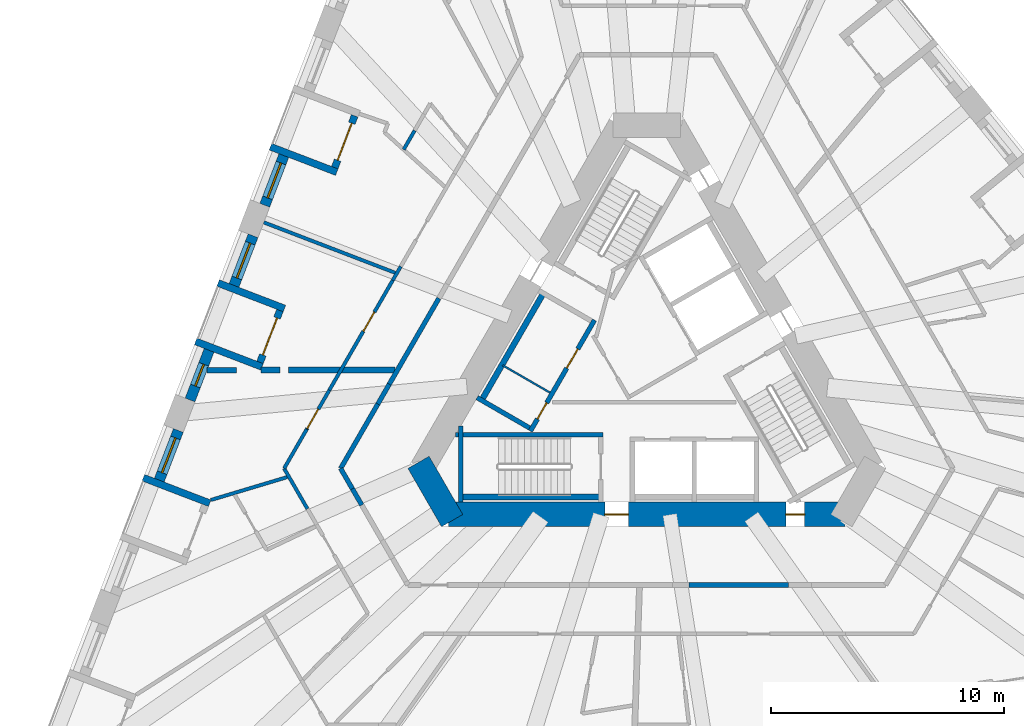
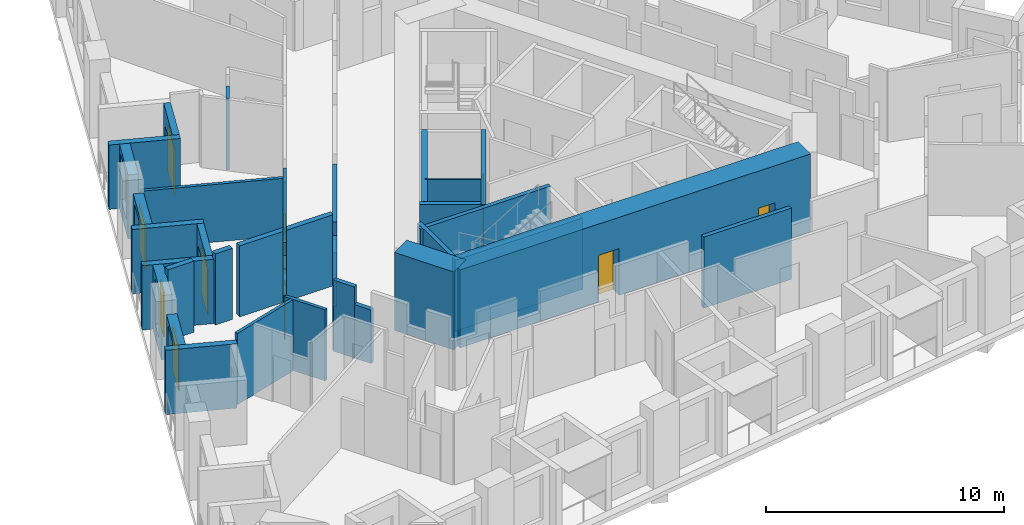
# One storey, part 4 of 14: 36 walls, 8 doors, 4 windows, 12 openings.
"""IFC4 building model written with IfcOpenShell, lengths in metres."""

from ifc_helpers import new_model, si_unit, direction, frame, frame_2d, origin, place, context, subcontext, project, spatial, polyline, rectangle, outline, extrude, material, layer, layer_set, type_object, element, fill, save


model = new_model("IFC4")

# Units and contexts
model_context = context("Model", 3, precision=1e-05, world=origin(), true_north=direction((0.0, 1.0)))
body_context = subcontext(model_context, "Body", "Model", "MODEL_VIEW")
ifc_project = project(units=[si_unit("LENGTHUNIT", "METRE"), si_unit("AREAUNIT", "SQUARE_METRE"), si_unit("VOLUMEUNIT", "CUBIC_METRE"), si_unit("PLANEANGLEUNIT", "RADIAN"), si_unit("MASSUNIT", "GRAM", prefix="KILO")], contexts=[model_context])

# Site, building, storey
site_placement = place(None, origin())
site = spatial("IfcSite", under=ifc_project, at=site_placement, CompositionType="ELEMENT")
building_placement = place(site_placement, origin())
building = spatial("IfcBuilding", under=site, at=building_placement, Name="Tramontana Tower", CompositionType="ELEMENT")
storey_placement = place(building_placement, frame((0.0, 0.0, 67.199951171875)))
storey = spatial("IfcBuildingStorey", under=building, at=storey_placement, Name="L14", CompositionType="ELEMENT", Elevation=67.199951171875)

# Wall
ifc_material_1 = material(Name="Concrete 70 MPa", Category="concrete")
ifc_layer_1 = layer(ifc_material_1, 1.050048828125)
ifc_layer_set_1 = layer_set([ifc_layer_1], Name="Core wall 1050 70 MPa")
wall_type_1 = type_object("IfcWallType", Name="Core wall 1050 70 MPa", PredefinedType="SHEAR", material=ifc_layer_set_1)
wall_1_placement = place(storey_placement, frame((-9.793212890625, -3.987548828125, 0.0), z_axis=(0.0, 0.0, 1.0), x_axis=(0.499995765644, -0.866027848477, 0.0)))
element("IfcWall", 1, at=wall_1_placement, inside=storey, type_object=wall_type_1, Name="Core wall C2 L14", PredefinedType="SHEAR", context=body_context, shape_type="SweptSolid", body=[
    extrude(rectangle(XDim=2.88671875, YDim=1.050048828125, at=frame_2d((1.443359375, 0.0))), origin(), (0.0, 0.0, 1.0), 4.0),
])

# Wall, openings, doors
wall_2_placement = place(storey_placement, frame((-8.50146484375, -6.22509765625, 0.0), z_axis=(0.0, 0.0, 1.0), x_axis=(1.0, 0.0, 0.0)))
wall_2 = element("IfcWall", 2, at=wall_2_placement, inside=storey, type_object=wall_type_1, Name="Core wall C3 L14", PredefinedType="SHEAR", context=body_context, shape_type="SweptSolid", body=[
    extrude(rectangle(XDim=17.0029296875, YDim=1.050048828125, at=frame_2d((8.50146484375, 0.0))), origin(), (0.0, 0.0, 1.0), 4.0),
])
opening_1_placement = place(wall_2_placement, frame((6.70654296875, 0.0, 0.0)))
opening_1 = element("IfcOpeningElement", 3, at=opening_1_placement, cuts=wall_2, Name="Opening RG2", PredefinedType="OPENING", context=body_context, shape_type="SweptSolid", body=[
    extrude(rectangle(XDim=1.0, YDim=2.39990234375, at=frame_2d((0.5, 1.199951171875))), frame((0.0, 0.534912109375, 0.0), z_axis=(0.0, -1.0, 0.0), x_axis=(1.0, 0.0, 0.0)), (0.0, 0.0, 1.0), 1.070068359375),
])
opening_2_placement = place(wall_2_placement, frame((14.472412109375, 0.0, 0.0)))
opening_2 = element("IfcOpeningElement", 4, at=opening_2_placement, cuts=wall_2, Name="Opening PD2", PredefinedType="OPENING", context=body_context, shape_type="SweptSolid", body=[
    extrude(rectangle(XDim=0.800048828125, YDim=2.10009765625, at=frame_2d((0.39990234375, 1.050048828125))), frame((0.0, 0.534912109375, 0.0), z_axis=(0.0, -1.0, 0.0), x_axis=(1.0, 0.0, 0.0)), (0.0, 0.0, 1.0), 1.070068359375),
])
ifc_material_2 = material(Name="Painted steel", Category="steel")
door_type_1 = type_object("IfcDoorType", Name="CUPBOARD DOOR 800", OperationType="SINGLE_SWING_LEFT", PredefinedType="DOOR", material=ifc_material_2)
door_1_placement = place(opening_2_placement, origin())
door_1 = element("IfcDoor", 5, at=door_1_placement, inside=storey, type_object=door_type_1, Name="Door PD2", OperationType="SINGLE_SWING_LEFT", OverallHeight=2.10009765625, OverallWidth=0.800048828125, PredefinedType="DOOR", context=body_context, shape_type="SweptSolid", body=[
    extrude(rectangle(XDim=0.800048828125, YDim=2.10009765625, at=frame_2d((0.39990234375, 1.050048828125))), frame((0.0, 0.02490234375, 0.0), z_axis=(0.0, -1.0, 0.0), x_axis=(1.0, 0.0, 0.0)), (0.0, 0.0, 1.0), 0.050048828125),
])
fill(opening_2, door_1)
ifc_material_3 = material(Name="Painted steel", Category="steel")
door_type_2 = type_object("IfcDoorType", Name="RING DOOR 1000", OperationType="SINGLE_SWING_LEFT", PredefinedType="DOOR", material=ifc_material_3)
door_2_placement = place(opening_1_placement, origin())
door_2 = element("IfcDoor", 6, at=door_2_placement, inside=storey, type_object=door_type_2, Name="Door RG2", OperationType="SINGLE_SWING_LEFT", OverallHeight=2.39990234375, OverallWidth=1.0, PredefinedType="DOOR", context=body_context, shape_type="SweptSolid", body=[
    extrude(rectangle(XDim=1.0, YDim=2.39990234375, at=frame_2d((0.5, 1.199951171875))), frame((0.0, 0.02490234375, 0.0), z_axis=(0.0, -1.0, 0.0), x_axis=(1.0, 0.0, 0.0)), (0.0, 0.0, 1.0), 0.050048828125),
])
fill(opening_1, door_2)

# Walls
ifc_material_4 = material(Name="Blockwork", Category="masonry")
ifc_layer_2 = layer(ifc_material_4, 0.199951171875)
ifc_layer_set_2 = layer_set([ifc_layer_2], Name="ENTRY WALL 200")
wall_type_2 = type_object("IfcWallType", Name="ENTRY WALL 200", PredefinedType="SOLIDWALL", material=ifc_layer_set_2)
wall_3_placement = place(storey_placement, frame((6.076171875, -9.25, 0.0), z_axis=(0.0, 0.0, 1.0), x_axis=(-1.0, 0.0, 0.0)))
element("IfcWall", 7, at=wall_3_placement, inside=storey, type_object=wall_type_2, Name="Wall v11-ew2-2", PredefinedType="SOLIDWALL", context=body_context, shape_type="SweptSolid", body=[
    extrude(rectangle(XDim=4.2568359375, YDim=0.199951171875, at=frame_2d((2.12841796875, 0.0))), origin(), (0.0, 0.0, 1.0), 3.650146484375),
])
wall_4_placement = place(storey_placement, frame((-12.228515625, -5.819580078125, 0.0), z_axis=(0.0, 0.0, 1.0), x_axis=(-0.499923776705, 0.866069406852, 0.0)))
element("IfcWall", 8, at=wall_4_placement, inside=storey, type_object=wall_type_2, Name="Wall v11-ew3-4", PredefinedType="SOLIDWALL", context=body_context, shape_type="SweptSolid", body=[
    extrude(rectangle(XDim=0.804931640625, YDim=0.199951171875, at=frame_2d((0.40234375, 0.0))), origin(), (0.0, 0.0, 1.0), 2.75),
])
wall_5_placement = place(storey_placement, frame((-12.630859375, -5.12255859375, 0.0), z_axis=(0.0, 0.0, 1.0), x_axis=(-0.500099969036, 0.865967678941, 0.0)))
element("IfcWall", 9, at=wall_5_placement, inside=storey, type_object=wall_type_2, Name="Wall v11-ew3-5", PredefinedType="SOLIDWALL", context=body_context, shape_type="SweptSolid", body=[
    extrude(rectangle(XDim=1.007568359375, YDim=0.199951171875, at=frame_2d((0.50390625, 0.0))), origin(), (0.0, 0.0, 1.0), 3.650146484375),
])
wall_6_placement = place(storey_placement, frame((-13.134765625, -4.25, 0.0), z_axis=(0.0, 0.0, 1.0), x_axis=(0.50003154259, 0.866007191896, 0.0)))
element("IfcWall", 10, at=wall_6_placement, inside=storey, type_object=wall_type_2, Name="Wall v11-ew4-0", PredefinedType="SOLIDWALL", context=body_context, shape_type="SweptSolid", body=[
    extrude(rectangle(XDim=3.190673828125, YDim=0.199951171875, at=frame_2d((1.59521484375, 0.0))), origin(), (0.0, 0.0, 1.0), 3.650146484375),
])
wall_7_placement = place(storey_placement, frame((-11.539306640625, -1.48681640625, 0.0), z_axis=(0.0, 0.0, 1.0), x_axis=(0.499966601515, 0.86604468555, 0.0)))
element("IfcWall", 11, at=wall_7_placement, inside=storey, type_object=wall_type_2, Name="Wall v11-ew4-1", PredefinedType="SOLIDWALL", context=body_context, shape_type="SweptSolid", body=[
    extrude(rectangle(XDim=0.98095703125, YDim=0.199951171875, at=frame_2d((0.490478515625, 0.0))), origin(), (0.0, 0.0, 1.0), 2.75),
])
wall_8_placement = place(storey_placement, frame((-11.048828125, -0.63720703125, 0.0), z_axis=(0.0, 0.0, 1.0), x_axis=(0.500000470374, 0.866025132214, 0.0)))
element("IfcWall", 12, at=wall_8_placement, inside=storey, type_object=wall_type_2, Name="Wall v11-ew4-2", PredefinedType="SOLIDWALL", context=body_context, shape_type="SweptSolid", body=[
    extrude(rectangle(XDim=4.2568359375, YDim=0.199951171875, at=frame_2d((2.12841796875, 0.0))), origin(), (0.0, 0.0, 1.0), 3.650146484375),
])

# Wall, opening, window
ifc_material_5 = material(Name="Precast concrete 60 MPa", Category="concrete")
ifc_layer_3 = layer(ifc_material_5, 0.449951171875)
ifc_layer_set_3 = layer_set([ifc_layer_3], Name="Precast concrete 60 MPa, 450 mm")
wall_type_3 = type_object("IfcWallType", Name="EW1 Stone-faced precast wall 450", PredefinedType="SOLIDWALL", material=ifc_layer_set_3)
wall_9_placement = place(storey_placement, frame((-15.572021484375, 9.1728515625, 0.0), z_axis=(0.0, 0.0, 1.0), x_axis=(-0.358355550725, -0.933585185864, 0.0)))
wall_9 = element("IfcWall", 13, at=wall_9_placement, inside=storey, type_object=wall_type_3, Name="External wall L14 face 0 bay 3", PredefinedType="SOLIDWALL", context=body_context, shape_type="SweptSolid", body=[
    extrude(rectangle(XDim=2.282958984375, YDim=0.449951171875, at=frame_2d((1.1416015625, 0.0))), origin(), (0.0, 0.0, 1.0), 3.300048828125),
])
opening_3_placement = place(wall_9_placement, frame((0.341552734375, 0.0, 0.699951171875)))
opening_3 = element("IfcOpeningElement", 14, at=opening_3_placement, cuts=wall_9, Name="Opening M1", PredefinedType="OPENING", context=body_context, shape_type="SweptSolid", body=[
    extrude(rectangle(XDim=1.60009765625, YDim=2.300048828125, at=frame_2d((0.800048828125, 1.14990234375))), frame((0.0, 0.23486328125, 0.0), z_axis=(0.0, -1.0, 0.0), x_axis=(1.0, 0.0, 0.0)), (0.0, 0.0, 1.0), 0.469970703125),
])
ifc_material_6 = material(Name="Aluminum frame, double glazing unit", Category="aluminium")
window_type_1 = type_object("IfcWindowType", Name="M1 Window 1.6 x 2.3", PartitioningType="SINGLE_PANEL", PredefinedType="WINDOW", material=ifc_material_6)
window_1_placement = place(opening_3_placement, origin())
window_1 = element("IfcWindow", 15, at=window_1_placement, inside=storey, type_object=window_type_1, Name="Window M1 L14 face 0 module 9", OverallHeight=2.300048828125, OverallWidth=1.60009765625, PartitioningType="SINGLE_PANEL", PredefinedType="WINDOW", context=body_context, shape_type="SweptSolid", body=[
    extrude(rectangle(XDim=1.60009765625, YDim=2.300048828125, at=frame_2d((0.800048828125, 1.14990234375))), frame((0.0, 0.030029296875, 0.0), z_axis=(0.0, -1.0, 0.0), x_axis=(1.0, 0.0, 0.0)), (0.0, 0.0, 1.0), 0.06005859375),
])
fill(opening_3, window_1)

wall_10_placement = place(storey_placement, frame((-16.891845703125, 5.734375, 0.0), z_axis=(0.0, 0.0, 1.0), x_axis=(-0.358355550725, -0.933585185864, 0.0)))
wall_10 = element("IfcWall", 16, at=wall_10_placement, inside=storey, type_object=wall_type_3, Name="External wall L14 face 0 bay 4", PredefinedType="SOLIDWALL", context=body_context, shape_type="SweptSolid", body=[
    extrude(rectangle(XDim=2.282958984375, YDim=0.449951171875, at=frame_2d((1.1416015625, 0.0))), origin(), (0.0, 0.0, 1.0), 3.300048828125),
])
opening_4_placement = place(wall_10_placement, frame((0.341552734375, 0.0, 0.699951171875)))
opening_4 = element("IfcOpeningElement", 17, at=opening_4_placement, cuts=wall_10, Name="Opening M1", PredefinedType="OPENING", context=body_context, shape_type="SweptSolid", body=[
    extrude(rectangle(XDim=1.60009765625, YDim=2.300048828125, at=frame_2d((0.800048828125, 1.14990234375))), frame((0.0, 0.23486328125, 0.0), z_axis=(0.0, -1.0, 0.0), x_axis=(1.0, 0.0, 0.0)), (0.0, 0.0, 1.0), 0.469970703125),
])
window_2_placement = place(opening_4_placement, origin())
window_2 = element("IfcWindow", 18, at=window_2_placement, inside=storey, type_object=window_type_1, Name="Window M1 L14 face 0 module 10", OverallHeight=2.300048828125, OverallWidth=1.60009765625, PartitioningType="SINGLE_PANEL", PredefinedType="WINDOW", context=body_context, shape_type="SweptSolid", body=[
    extrude(rectangle(XDim=1.60009765625, YDim=2.300048828125, at=frame_2d((0.800048828125, 1.14990234375))), frame((0.0, 0.030029296875, 0.0), z_axis=(0.0, -1.0, 0.0), x_axis=(1.0, 0.0, 0.0)), (0.0, 0.0, 1.0), 0.06005859375),
])
fill(opening_4, window_2)

wall_11_placement = place(storey_placement, frame((-18.779052734375, 0.818115234375, 0.0), z_axis=(0.0, 0.0, 1.0), x_axis=(-0.358355550725, -0.933585185864, 0.0)))
wall_11 = element("IfcWall", 19, at=wall_11_placement, inside=storey, type_object=wall_type_3, Name="External wall L14 face 0 bay 4", PredefinedType="SOLIDWALL", context=body_context, shape_type="SweptSolid", body=[
    extrude(rectangle(XDim=2.282958984375, YDim=0.449951171875, at=frame_2d((1.1416015625, 0.0))), origin(), (0.0, 0.0, 1.0), 3.300048828125),
])
opening_5_placement = place(wall_11_placement, frame((0.6416015625, 0.0, 0.699951171875)))
opening_5 = element("IfcOpeningElement", 20, at=opening_5_placement, cuts=wall_11, Name="Opening N1", PredefinedType="OPENING", context=body_context, shape_type="SweptSolid", body=[
    extrude(rectangle(XDim=1.0, YDim=2.300048828125, at=frame_2d((0.5, 1.14990234375))), frame((0.0, 0.23486328125, 0.0), z_axis=(0.0, -1.0, 0.0), x_axis=(1.0, 0.0, 0.0)), (0.0, 0.0, 1.0), 0.469970703125),
])
ifc_material_7 = material(Name="Aluminum frame, double glazing unit", Category="aluminium")
window_type_2 = type_object("IfcWindowType", Name="N1 Window 1 x 2.3", PartitioningType="SINGLE_PANEL", PredefinedType="WINDOW", material=ifc_material_7)
window_3_placement = place(opening_5_placement, origin())
window_3 = element("IfcWindow", 21, at=window_3_placement, inside=storey, type_object=window_type_2, Name="Window N1 L14 face 0 module 12", OverallHeight=2.300048828125, OverallWidth=1.0, PartitioningType="SINGLE_PANEL", PredefinedType="WINDOW", context=body_context, shape_type="SweptSolid", body=[
    extrude(rectangle(XDim=1.0, YDim=2.300048828125, at=frame_2d((0.5, 1.14990234375))), frame((0.0, 0.030029296875, 0.0), z_axis=(0.0, -1.0, 0.0), x_axis=(1.0, 0.0, 0.0)), (0.0, 0.0, 1.0), 0.06005859375),
])
fill(opening_5, window_3)

wall_12_placement = place(storey_placement, frame((-20.098876953125, -2.6201171875, 0.0), z_axis=(0.0, 0.0, 1.0), x_axis=(-0.358355550725, -0.933585185864, 0.0)))
wall_12 = element("IfcWall", 22, at=wall_12_placement, inside=storey, type_object=wall_type_3, Name="External wall L14 face 0 bay 5", PredefinedType="SOLIDWALL", context=body_context, shape_type="SweptSolid", body=[
    extrude(rectangle(XDim=2.282958984375, YDim=0.449951171875, at=frame_2d((1.1416015625, 0.0))), origin(), (0.0, 0.0, 1.0), 3.300048828125),
])
opening_6_placement = place(wall_12_placement, frame((0.341552734375, 0.0, 0.699951171875)))
opening_6 = element("IfcOpeningElement", 23, at=opening_6_placement, cuts=wall_12, Name="Opening M1", PredefinedType="OPENING", context=body_context, shape_type="SweptSolid", body=[
    extrude(rectangle(XDim=1.60009765625, YDim=2.300048828125, at=frame_2d((0.800048828125, 1.14990234375))), frame((0.0, 0.23486328125, 0.0), z_axis=(0.0, -1.0, 0.0), x_axis=(1.0, 0.0, 0.0)), (0.0, 0.0, 1.0), 0.469970703125),
])
window_4_placement = place(opening_6_placement, origin())
window_4 = element("IfcWindow", 24, at=window_4_placement, inside=storey, type_object=window_type_1, Name="Window M1 L14 face 0 module 13", OverallHeight=2.300048828125, OverallWidth=1.60009765625, PartitioningType="SINGLE_PANEL", PredefinedType="WINDOW", context=body_context, shape_type="SweptSolid", body=[
    extrude(rectangle(XDim=1.60009765625, YDim=2.300048828125, at=frame_2d((0.800048828125, 1.14990234375))), frame((0.0, 0.030029296875, 0.0), z_axis=(0.0, -1.0, 0.0), x_axis=(1.0, 0.0, 0.0)), (0.0, 0.0, 1.0), 0.06005859375),
])
fill(opening_6, window_4)

# Wall, opening, door
ifc_material_8 = material(Name="Precast concrete 60 MPa", Category="concrete")
ifc_layer_4 = layer(ifc_material_8, 0.300048828125)
ifc_layer_set_4 = layer_set([ifc_layer_4], Name="LW1 Stone-faced loggia wall 300")
wall_type_4 = type_object("IfcWallType", Name="LW1 Stone-faced loggia wall 300", PredefinedType="SOLIDWALL", material=ifc_layer_set_4)
wall_13_placement = place(storey_placement, frame((-12.533447265625, 10.880126953125, 0.0), z_axis=(0.0, 0.0, 1.0), x_axis=(-0.35838856932, -0.933572511046, 0.0)))
wall_13 = element("IfcWall", 25, at=wall_13_placement, inside=storey, type_object=wall_type_4, Name="Loggia wall L14 G1S0.7", PredefinedType="SOLIDWALL", context=body_context, shape_type="SweptSolid", body=[
    extrude(rectangle(XDim=2.3828125, YDim=0.300048828125, at=frame_2d((1.19140625, 0.0))), origin(), (0.0, 0.0, 1.0), 3.300048828125),
])
opening_7_placement = place(wall_13_placement, frame((0.341552734375, 0.0, 0.0)))
opening_7 = element("IfcOpeningElement", 26, at=opening_7_placement, cuts=wall_13, Name="Opening BD-1S0-07", PredefinedType="OPENING", context=body_context, shape_type="SweptSolid", body=[
    extrude(rectangle(XDim=1.699951171875, YDim=2.39990234375, at=frame_2d((0.85009765625, 1.199951171875))), frame((0.0, 0.159912109375, 0.0), z_axis=(0.0, -1.0, 0.0), x_axis=(1.0, 0.0, 0.0)), (0.0, 0.0, 1.0), 0.320068359375),
])
ifc_material_9 = material(Name="Aluminum frame, double glazing unit", Category="aluminium")
door_type_3 = type_object("IfcDoorType", Name="BD1 Sliding door 1.7 x 2.4", OperationType="SLIDING_TO_LEFT", PredefinedType="DOOR", material=ifc_material_9)
door_3_placement = place(opening_7_placement, origin())
door_3 = element("IfcDoor", 27, at=door_3_placement, inside=storey, type_object=door_type_3, Name="Loggia door L14 G1S0.7", OperationType="SLIDING_TO_LEFT", OverallHeight=2.39990234375, OverallWidth=1.699951171875, PredefinedType="DOOR", context=body_context, shape_type="SweptSolid", body=[
    extrude(rectangle(XDim=1.699951171875, YDim=2.39990234375, at=frame_2d((0.85009765625, 1.199951171875))), frame((0.0, 0.02490234375, 0.0), z_axis=(0.0, -1.0, 0.0), x_axis=(1.0, 0.0, 0.0)), (0.0, 0.0, 1.0), 0.050048828125),
])
fill(opening_7, door_3)

# Wall
wall_14_placement = place(storey_placement, frame((-16.1484375, 9.5546875, 0.0), z_axis=(0.0, 0.0, 1.0), x_axis=(0.933580593625, -0.358367514161, 0.0)))
element("IfcWall", 28, at=wall_14_placement, inside=storey, type_object=wall_type_4, Name="Loggia return L14 G1S0.7b", PredefinedType="SOLIDWALL", context=body_context, shape_type="SweptSolid", body=[
    extrude(rectangle(XDim=3.050048828125, YDim=0.300048828125, at=frame_2d((1.52490234375, 0.0))), origin(), (0.0, 0.0, 1.0), 3.300048828125),
])

# Wall, opening, door
wall_15_placement = place(storey_placement, frame((-15.740478515625, 2.525634765625, 0.0), z_axis=(0.0, 0.0, 1.0), x_axis=(-0.35829926872, -0.933606787697, 0.0)))
wall_15 = element("IfcWall", 29, at=wall_15_placement, inside=storey, type_object=wall_type_4, Name="Loggia wall L14 G1S0.10", PredefinedType="SOLIDWALL", context=body_context, shape_type="SweptSolid", body=[
    extrude(rectangle(XDim=2.3828125, YDim=0.300048828125, at=frame_2d((1.19140625, 0.0))), origin(), (0.0, 0.0, 1.0), 3.300048828125),
])
opening_8_placement = place(wall_15_placement, frame((0.341552734375, 0.0, 0.0)))
opening_8 = element("IfcOpeningElement", 30, at=opening_8_placement, cuts=wall_15, Name="Opening BD-1S0-10", PredefinedType="OPENING", context=body_context, shape_type="SweptSolid", body=[
    extrude(rectangle(XDim=1.699951171875, YDim=2.39990234375, at=frame_2d((0.85009765625, 1.199951171875))), frame((0.0, 0.159912109375, 0.0), z_axis=(0.0, -1.0, 0.0), x_axis=(1.0, 0.0, 0.0)), (0.0, 0.0, 1.0), 0.320068359375),
])
door_4_placement = place(opening_8_placement, origin())
door_4 = element("IfcDoor", 31, at=door_4_placement, inside=storey, type_object=door_type_3, Name="Loggia door L14 G1S0.10", OperationType="SLIDING_TO_LEFT", OverallHeight=2.39990234375, OverallWidth=1.699951171875, PredefinedType="DOOR", context=body_context, shape_type="SweptSolid", body=[
    extrude(rectangle(XDim=1.699951171875, YDim=2.39990234375, at=frame_2d((0.85009765625, 1.199951171875))), frame((0.0, 0.02490234375, 0.0), z_axis=(0.0, -1.0, 0.0), x_axis=(1.0, 0.0, 0.0)), (0.0, 0.0, 1.0), 0.050048828125),
])
fill(opening_8, door_4)

# Walls
for number, where, z_axis, x_axis, name in (
    (32, (-18.39404296875, 3.704833984375, 0.0), (0.0, 0.0, 1.0), (0.933580593625, -0.358367514161, 0.0), "Loggia return L14 G1S0.10a"),
    (33, (-19.35546875, 1.2001953125, 0.0), (0.0, 0.0, 1.0), (0.933580593625, -0.358367514161, 0.0), "Loggia return L14 G1S0.10b"),
    (34, (-21.60107421875, -4.649658203125, 0.0), (0.0, 0.0, 1.0), (0.933580593625, -0.358367514161, 0.0), "Loggia return L14 G1S0.13a"),
):
    element("IfcWall", number, at=place(storey_placement, frame(where, z_axis=z_axis, x_axis=x_axis)), inside=storey, type_object=wall_type_4, Name=name, PredefinedType="SOLIDWALL", context=body_context, shape_type="SweptSolid", body=[
        extrude(rectangle(XDim=3.050048828125, YDim=0.300048828125, at=frame_2d((1.52490234375, 0.0))), origin(), (0.0, 0.0, 1.0), 3.300048828125),
    ])
ifc_material_10 = material(Name="Gypsum board partition")
ifc_layer_5 = layer(ifc_material_10, 0.14990234375)
ifc_layer_set_5 = layer_set([ifc_layer_5], Name="PARTITION 150")
wall_type_5 = type_object("IfcWallType", Name="PARTITION 150", PredefinedType="PARTITIONING", material=ifc_layer_set_5)
wall_16_placement = place(storey_placement, frame((-18.699951171875, -5.6025390625, 0.0), z_axis=(0.0, 0.0, 1.0), x_axis=(0.957930571871, 0.287000033929, 0.0)))
element("IfcWall", 35, at=wall_16_placement, inside=storey, type_object=wall_type_5, Name="Wall v11-pw01", PredefinedType="PARTITIONING", context=body_context, shape_type="SweptSolid", body=[
    extrude(rectangle(XDim=3.412841796875, YDim=0.14990234375, at=frame_2d((1.70654296875, 0.0))), origin(), (0.0, 0.0, 1.0), 3.650146484375),
])
wall_17_placement = place(storey_placement, frame((-15.5595703125, -4.25, 0.0), z_axis=(0.0, 0.0, 1.0), x_axis=(0.500021055713, 0.866013246922, 0.0)))
element("IfcWall", 36, at=wall_17_placement, inside=storey, type_object=wall_type_5, Name="Wall v11-pw05-0", PredefinedType="PARTITIONING", context=body_context, shape_type="SweptSolid", body=[
    extrude(rectangle(XDim=1.9345703125, YDim=0.14990234375, at=frame_2d((0.96728515625, 0.0))), origin(), (0.0, 0.0, 1.0), 3.650146484375),
])

# Wall, opening, door
wall_18_placement = place(storey_placement, frame((-14.59228515625, -2.57470703125, 0.0), z_axis=(0.0, 0.0, 1.0), x_axis=(0.499976186015, 0.866039152359, 0.0)))
wall_18 = element("IfcWall", 37, at=wall_18_placement, inside=storey, type_object=wall_type_5, Name="Wall v11-pw05-1", PredefinedType="PARTITIONING", context=body_context, shape_type="SweptSolid", body=[
    extrude(outline(polyline([(0.0, 0.0), (1.943359375, 0.0), (1.943603515625, 2.75), (0.9931640625, 2.75), (0.9931640625, 3.650146484375), (0.0, 3.650146484375), (0.0, 0.0)])), frame((0.0, 0.074951171875, 0.0), z_axis=(0.0, -1.0, 0.0), x_axis=(1.0, 0.0, 0.0)), (0.0, 0.0, 1.0), 0.14990234375),
])
opening_9_placement = place(wall_18_placement, frame((0.050048828125, 0.0, 0.0)))
opening_9 = element("IfcOpeningElement", 38, at=opening_9_placement, cuts=wall_18, Name="Opening B1B-16", PredefinedType="OPENING", context=body_context, shape_type="SweptSolid", body=[
    extrude(rectangle(XDim=0.949951171875, YDim=2.39990234375, at=frame_2d((0.47509765625, 1.199951171875))), frame((0.0, 0.0849609375, 0.0), z_axis=(0.0, -1.0, 0.0), x_axis=(1.0, 0.0, 0.0)), (0.0, 0.0, 1.0), 0.169921875),
])
ifc_material_11 = material(Name="Painted timber", Category="wood")
door_type_4 = type_object("IfcDoorType", Name="DOOR ROOM 950", OperationType="SINGLE_SWING_LEFT", PredefinedType="DOOR", material=ifc_material_11)
door_5_placement = place(opening_9_placement, origin())
door_5 = element("IfcDoor", 39, at=door_5_placement, inside=storey, type_object=door_type_4, Name="Door B1B-16", OperationType="SINGLE_SWING_RIGHT", OverallHeight=2.39990234375, OverallWidth=0.949951171875, PredefinedType="DOOR", context=body_context, shape_type="SweptSolid", body=[
    extrude(rectangle(XDim=0.949951171875, YDim=2.39990234375, at=frame_2d((0.47509765625, 1.199951171875))), frame((0.0, 0.02490234375, 0.0), z_axis=(0.0, -1.0, 0.0), x_axis=(1.0, 0.0, 0.0)), (0.0, 0.0, 1.0), 0.050048828125),
])
fill(opening_9, door_5)

wall_19_placement = place(storey_placement, frame((-13.62060546875, -0.8916015625, 0.0), z_axis=(0.0, 0.0, 1.0), x_axis=(0.499983886315, 0.866034706825, 0.0)))
wall_19 = element("IfcWall", 40, at=wall_19_placement, inside=storey, type_object=wall_type_5, Name="Wall v11-pw05-2", PredefinedType="PARTITIONING", context=body_context, shape_type="SweptSolid", body=[
    extrude(rectangle(XDim=5.443115234375, YDim=0.14990234375, at=frame_2d((2.7216796875, 0.0))), origin(), (0.0, 0.0, 1.0), 3.650146484375),
])
opening_10_placement = place(wall_19_placement, frame((2.91845703125, 0.0, 0.0)))
opening_10 = element("IfcOpeningElement", 41, at=opening_10_placement, cuts=wall_19, Name="Opening B1B-08", PredefinedType="OPENING", context=body_context, shape_type="SweptSolid", body=[
    extrude(rectangle(XDim=0.949951171875, YDim=2.39990234375, at=frame_2d((0.47509765625, 1.199951171875))), frame((0.0, 0.0849609375, 0.0), z_axis=(0.0, -1.0, 0.0), x_axis=(1.0, 0.0, 0.0)), (0.0, 0.0, 1.0), 0.169921875),
])
door_6_placement = place(opening_10_placement, origin())
door_6 = element("IfcDoor", 42, at=door_6_placement, inside=storey, type_object=door_type_4, Name="Door B1B-08", OperationType="SINGLE_SWING_RIGHT", OverallHeight=2.39990234375, OverallWidth=0.949951171875, PredefinedType="DOOR", context=body_context, shape_type="SweptSolid", body=[
    extrude(rectangle(XDim=0.949951171875, YDim=2.39990234375, at=frame_2d((0.47509765625, 1.199951171875))), frame((0.0, 0.02490234375, 0.0), z_axis=(0.0, -1.0, 0.0), x_axis=(1.0, 0.0, 0.0)), (0.0, 0.0, 1.0), 0.050048828125),
])
fill(opening_10, door_6)

# Walls
wall_20_placement = place(storey_placement, frame((-10.899169921875, 3.822265625, 0.0), z_axis=(0.0, 0.0, 1.0), x_axis=(0.500134748329, 0.865947592822, 0.0)))
element("IfcWall", 43, at=wall_20_placement, inside=storey, type_object=wall_type_5, Name="Wall v11-pw05-3", PredefinedType="PARTITIONING", context=body_context, shape_type="SweptSolid", body=[
    extrude(rectangle(XDim=0.683349609375, YDim=0.14990234375, at=frame_2d((0.341796875, 0.0))), origin(), (0.0, 0.0, 1.0), 2.949951171875),
])
wall_21_placement = place(storey_placement, frame((-14.55810546875, -5.984619140625, 0.0), z_axis=(0.0, 0.0, 1.0), x_axis=(-0.499993265928, 0.866029291668, 0.0)))
element("IfcWall", 44, at=wall_21_placement, inside=storey, type_object=wall_type_5, Name="Wall v11-pw11-4", PredefinedType="PARTITIONING", context=body_context, shape_type="SweptSolid", body=[
    extrude(rectangle(XDim=2.0029296875, YDim=0.14990234375, at=frame_2d((1.00146484375, 0.0))), origin(), (0.0, 0.0, 1.0), 3.650146484375),
])
wall_22_placement = place(storey_placement, frame((-10.799072265625, 4.1455078125, 0.0), z_axis=(0.0, 0.0, 1.0), x_axis=(-0.933580095579, 0.358368811616, 0.0)))
element("IfcWall", 45, at=wall_22_placement, inside=storey, type_object=wall_type_5, Name="Wall v11-pw16-0", PredefinedType="PARTITIONING", context=body_context, shape_type="SweptSolid", body=[
    extrude(rectangle(XDim=6.032470703125, YDim=0.14990234375, at=frame_2d((3.01611328125, 0.0))), origin(), (0.0, 0.0, 1.0), 2.949951171875),
])
wall_23_placement = place(storey_placement, frame((-10.4306640625, 9.43359375, 0.0), z_axis=(0.0, 0.0, 1.0), x_axis=(0.499962016178, 0.866047332643, 0.0)))
element("IfcWall", 46, at=wall_23_placement, inside=storey, type_object=wall_type_5, Name="Wall v11-pw18-0", PredefinedType="PARTITIONING", context=body_context, shape_type="SweptSolid", body=[
    extrude(rectangle(XDim=0.94091796875, YDim=0.14990234375, at=frame_2d((0.470458984375, 0.0))), origin(), (0.0, 0.0, 1.0), 3.650146484375),
])
ifc_material_12 = material(Name="Gypsum board partition")
ifc_layer_6 = layer(ifc_material_12, 0.080078125)
ifc_layer_set_6 = layer_set([ifc_layer_6], Name="PARTITION 80")
wall_type_6 = type_object("IfcWallType", Name="PARTITION 80", PredefinedType="PARTITIONING", material=ifc_layer_set_6)
wall_24_placement = place(storey_placement, frame((-4.15478515625, -0.99609375, 0.0), z_axis=(0.0, 0.0, 1.0), x_axis=(-0.866016039709, 0.500016218704, 0.0)))
element("IfcWall", 47, at=wall_24_placement, inside=storey, type_object=wall_type_6, Name="Wall row0-split", PredefinedType="PARTITIONING", context=body_context, shape_type="SweptSolid", body=[
    extrude(rectangle(XDim=2.35009765625, YDim=0.080078125, at=frame_2d((1.175048828125, 0.0))), origin(), (0.0, 0.0, 1.0), 3.650146484375),
])
ifc_material_13 = material(Name="Blockwork", Category="masonry")
ifc_layer_7 = layer(ifc_material_13, 0.25)
ifc_layer_set_7 = layer_set([ifc_layer_7], Name="PARTY WALL 250")
wall_type_7 = type_object("IfcWallType", Name="PARTY WALL 250", PredefinedType="SOLIDWALL", material=ifc_layer_set_7)
wall_25_placement = place(storey_placement, frame((-17.61181640625, -0.034912109375, 0.0), z_axis=(0.0, 0.0, 1.0), x_axis=(-0.99999770915, -0.002140489356, 0.0)))
element("IfcWall", 48, at=wall_25_placement, inside=storey, type_object=wall_type_7, Name="Wall v11-pw02", PredefinedType="SOLIDWALL", context=body_context, shape_type="SweptSolid", body=[
    extrude(rectangle(XDim=1.254638671875, YDim=0.25, at=frame_2d((0.62744140625, 0.0))), origin(), (0.0, 0.0, 1.0), 3.650146484375),
])
wall_26_placement = place(storey_placement, frame((-15.72900390625, -0.03125, 0.0), z_axis=(0.0, 0.0, 1.0), x_axis=(-0.999997894277, -0.002052179789, 0.0)))
element("IfcWall", 49, at=wall_26_placement, inside=storey, type_object=wall_type_7, Name="Wall v11-pw04", PredefinedType="SOLIDWALL", context=body_context, shape_type="SweptSolid", body=[
    extrude(rectangle(XDim=0.832763671875, YDim=0.25, at=frame_2d((0.41650390625, 0.0))), origin(), (0.0, 0.0, 1.0), 3.650146484375),
])
wall_27_placement = place(storey_placement, frame((-10.808837890625, -0.021484375, 0.0), z_axis=(0.0, 0.0, 1.0), x_axis=(-0.999998049656, -0.001975014831, 0.0)))
element("IfcWall", 50, at=wall_27_placement, inside=storey, type_object=wall_type_7, Name="Wall v11-pw15", PredefinedType="SOLIDWALL", context=body_context, shape_type="SweptSolid", body=[
    extrude(rectangle(XDim=4.57373046875, YDim=0.25, at=frame_2d((2.286865234375, 0.0))), origin(), (0.0, 0.0, 1.0), 3.650146484375),
])
ifc_material_14 = material(Name="Concrete 70 MPa", Category="concrete")
ifc_layer_8 = layer(ifc_material_14, 0.25)
ifc_layer_set_8 = layer_set([ifc_layer_8], Name="Concrete 70 MPa, 250 mm")
wall_type_8 = type_object("IfcWallType", Name="RC SHAFT BACK WALL 250", PredefinedType="SOLIDWALL", material=ifc_layer_set_8)
wall_28_placement = place(storey_placement, frame((-8.080078125, -5.47509765625, 0.0), z_axis=(0.0, 0.0, 1.0), x_axis=(1.0, 0.0, 0.0)))
element("IfcWall", 51, at=wall_28_placement, inside=storey, type_object=wall_type_8, Name="Wall st2-back", PredefinedType="SOLIDWALL", context=body_context, shape_type="SweptSolid", body=[
    extrude(rectangle(XDim=6.2001953125, YDim=0.25, at=frame_2d((3.10009765625, 0.0))), origin(), (0.0, 0.0, 1.0), 3.650146484375),
])
wall_29_placement = place(storey_placement, frame((-4.386474609375, 3.352294921875, 0.0), z_axis=(0.0, 0.0, 1.0), x_axis=(-0.500015767406, -0.866016300277, 0.0)))
element("IfcWall", 52, at=wall_29_placement, inside=storey, type_object=wall_type_8, Name="Wall row0-back", PredefinedType="SOLIDWALL", context=body_context, shape_type="SweptSolid", body=[
    extrude(rectangle(XDim=5.499755859375, YDim=0.25, at=frame_2d((2.75, 0.0))), origin(), (0.0, 0.0, 1.0), 3.650146484375),
])
ifc_material_15 = material(Name="Concrete 70 MPa", Category="concrete")
ifc_layer_9 = layer(ifc_material_15, 0.199951171875)
ifc_layer_set_9 = layer_set([ifc_layer_9], Name="Concrete 70 MPa, 200 mm")
wall_type_9 = type_object("IfcWallType", Name="RC STAIR AND SHAFT WALL 200", PredefinedType="SOLIDWALL", material=ifc_layer_set_9)
wall_30_placement = place(storey_placement, frame((-8.198486328125, -2.800048828125, 0.0), z_axis=(0.0, 0.0, 1.0), x_axis=(1.0, 0.0, 0.0)))
element("IfcWall", 53, at=wall_30_placement, inside=storey, type_object=wall_type_9, Name="Wall st2-front", PredefinedType="SOLIDWALL", context=body_context, shape_type="SweptSolid", body=[
    extrude(rectangle(XDim=6.318603515625, YDim=0.199951171875, at=frame_2d((3.1591796875, 0.0))), origin(), (0.0, 0.0, 1.0), 3.650146484375),
])
wall_31_placement = place(storey_placement, frame((-7.97998046875, -2.421875, 0.0), z_axis=(0.0, 0.0, 1.0), x_axis=(0.0, -1.0, 0.0)))
element("IfcWall", 54, at=wall_31_placement, inside=storey, type_object=wall_type_9, Name="Wall st2-far", PredefinedType="SOLIDWALL", context=body_context, shape_type="SweptSolid", body=[
    extrude(rectangle(XDim=3.278076171875, YDim=0.199951171875, at=frame_2d((1.63916015625, 0.0))), origin(), (0.0, 0.0, 1.0), 3.650146484375),
])

# Wall, openings, doors
wall_32_placement = place(storey_placement, frame((-4.9931640625, -2.648193359375, 0.0), z_axis=(0.0, 0.0, 1.0), x_axis=(0.499996545922, 0.866027397988, 0.0)))
wall_32 = element("IfcWall", 55, at=wall_32_placement, inside=storey, type_object=wall_type_9, Name="Wall row0-front", PredefinedType="SOLIDWALL", context=body_context, shape_type="SweptSolid", body=[
    extrude(rectangle(XDim=5.5, YDim=0.199951171875, at=frame_2d((2.75, 0.0))), origin(), (0.0, 0.0, 1.0), 3.650146484375),
])
opening_11_placement = place(wall_32_placement, frame((3.1201171875, 0.0, 0.0)))
opening_11 = element("IfcOpeningElement", 56, at=opening_11_placement, cuts=wall_32, Name="Opening RD-0A", PredefinedType="OPENING", context=body_context, shape_type="SweptSolid", body=[
    extrude(rectangle(XDim=0.949951171875, YDim=2.39990234375, at=frame_2d((0.47509765625, 1.199951171875))), frame((0.0, 0.10986328125, 0.0), z_axis=(0.0, -1.0, 0.0), x_axis=(1.0, 0.0, 0.0)), (0.0, 0.0, 1.0), 0.219970703125),
])
opening_12_placement = place(wall_32_placement, frame((0.60498046875, 0.0, 0.0)))
opening_12 = element("IfcOpeningElement", 57, at=opening_12_placement, cuts=wall_32, Name="Opening RD-0B", PredefinedType="OPENING", context=body_context, shape_type="SweptSolid", body=[
    extrude(rectangle(XDim=0.800048828125, YDim=2.10009765625, at=frame_2d((0.39990234375, 1.050048828125))), frame((0.0, 0.10986328125, 0.0), z_axis=(0.0, -1.0, 0.0), x_axis=(1.0, 0.0, 0.0)), (0.0, 0.0, 1.0), 0.219970703125),
])
door_7_placement = place(opening_12_placement, origin())
door_7 = element("IfcDoor", 58, at=door_7_placement, inside=storey, type_object=door_type_1, Name="Door RD-0B", OperationType="SINGLE_SWING_RIGHT", OverallHeight=2.10009765625, OverallWidth=0.800048828125, PredefinedType="DOOR", context=body_context, shape_type="SweptSolid", body=[
    extrude(rectangle(XDim=0.800048828125, YDim=2.10009765625, at=frame_2d((0.39990234375, 1.050048828125))), frame((0.0, 0.02490234375, 0.0), z_axis=(0.0, -1.0, 0.0), x_axis=(1.0, 0.0, 0.0)), (0.0, 0.0, 1.0), 0.050048828125),
])
fill(opening_12, door_7)
door_8_placement = place(opening_11_placement, origin())
door_8 = element("IfcDoor", 59, at=door_8_placement, inside=storey, type_object=door_type_4, Name="Door RD-0A", OperationType="SINGLE_SWING_LEFT", OverallHeight=2.39990234375, OverallWidth=0.949951171875, PredefinedType="DOOR", context=body_context, shape_type="SweptSolid", body=[
    extrude(rectangle(XDim=0.949951171875, YDim=2.39990234375, at=frame_2d((0.47509765625, 1.199951171875))), frame((0.0, 0.02490234375, 0.0), z_axis=(0.0, -1.0, 0.0), x_axis=(1.0, 0.0, 0.0)), (0.0, 0.0, 1.0), 0.050048828125),
])
fill(opening_11, door_8)

# Wall
wall_33_placement = place(storey_placement, frame((-5.02978515625, -2.51171875, 0.0), z_axis=(0.0, 0.0, 1.0), x_axis=(-0.865997922154, 0.500047596559, 0.0)))
element("IfcWall", 60, at=wall_33_placement, inside=storey, type_object=wall_type_9, Name="Wall row0-side2", PredefinedType="SOLIDWALL", context=body_context, shape_type="SweptSolid", body=[
    extrude(rectangle(XDim=2.599853515625, YDim=0.199951171875, at=frame_2d((1.2998046875, 0.0))), origin(), (0.0, 0.0, 1.0), 3.650146484375),
])

save(model, "model.ifc")
